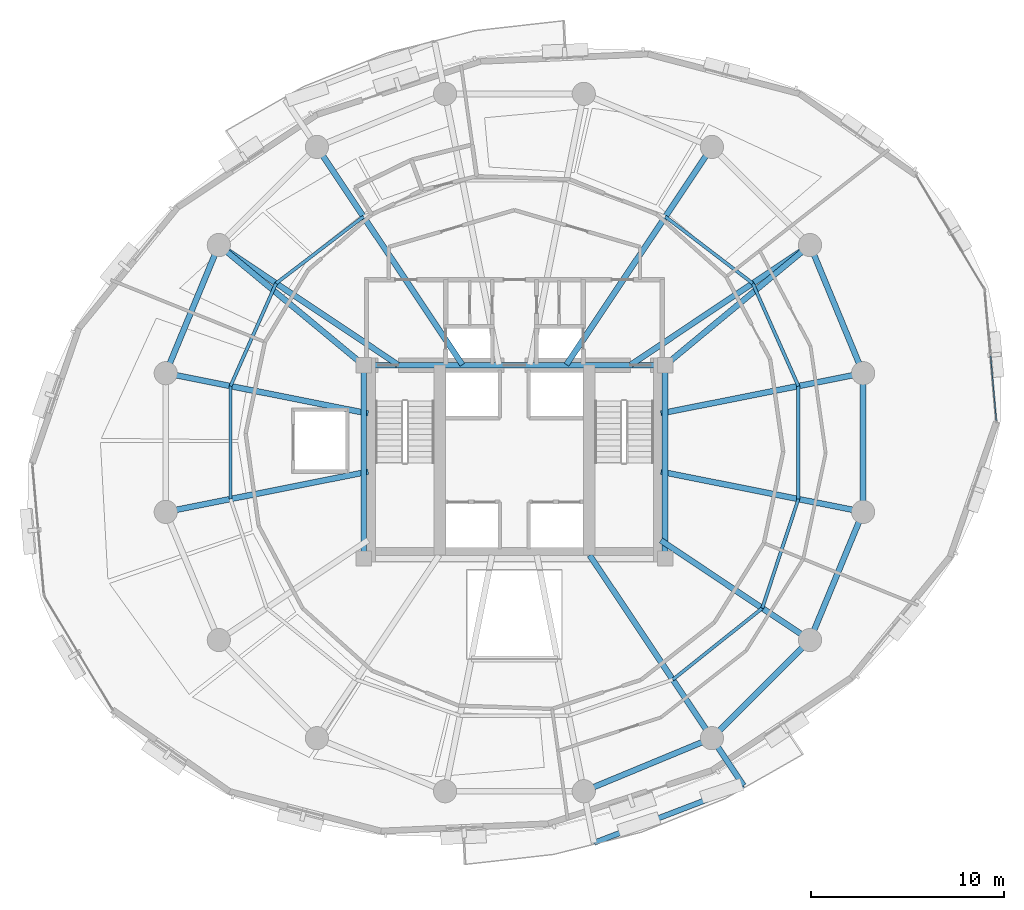
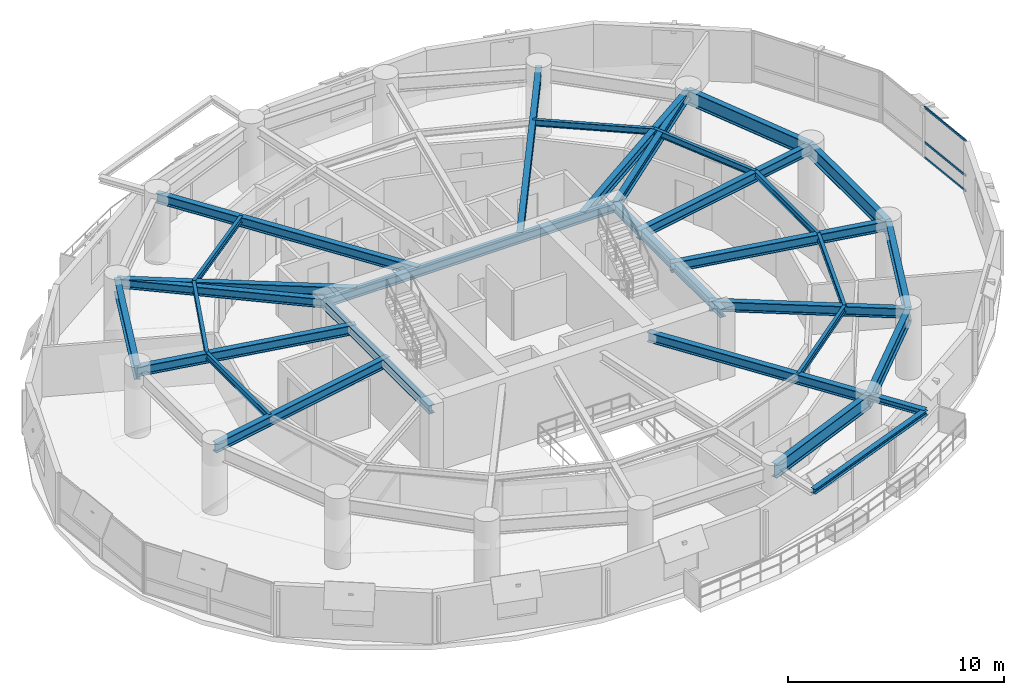
# One storey, part 5 of 15: 31 beams, 3 members, 1 element without a shape of its own.
"""IFC4 building model written with IfcOpenShell, lengths in metres."""

from ifc_helpers import new_model, si_unit, direction, frame, origin, origin_2d, place, context, subcontext, project, spatial, hollow_rectangle, i_section, extrude, material, layer, layer_set, material_profile, profile_set, type_object, element, aggregate, save


model = new_model("IFC4")

# Units and contexts
model_context = context("Model", 3, precision=1e-05, world=origin(), true_north=direction((0.0, 1.0)))
body_context = subcontext(model_context, "Body", "Model", "MODEL_VIEW")
ifc_project = project(units=[si_unit("LENGTHUNIT", "METRE"), si_unit("AREAUNIT", "SQUARE_METRE"), si_unit("VOLUMEUNIT", "CUBIC_METRE"), si_unit("PLANEANGLEUNIT", "RADIAN"), si_unit("MASSUNIT", "GRAM", prefix="KILO"), si_unit("THERMODYNAMICTEMPERATUREUNIT", "KELVIN"), si_unit("POWERUNIT", "WATT")], contexts=[model_context])

# Site, building, storey
site_placement = place(None, origin())
site = spatial("IfcSite", under=ifc_project, at=site_placement, CompositionType="ELEMENT")
building_placement = place(site_placement, origin())
building = spatial("IfcBuilding", under=site, at=building_placement, Name="Ocrelia Relay Tower", CompositionType="ELEMENT")
storey_placement = place(building_placement, frame((0.0, 0.0, 109.800048828125)))
storey = spatial("IfcBuildingStorey", under=building, at=storey_placement, Name="L25", CompositionType="ELEMENT", Elevation=109.800048828125)

# Beams
ifc_material_1 = material(Name="Steel S355", Category="steel")
ifc_material_profile_1 = material_profile(ifc_material_1, i_section(OverallWidth=0.280029296875, OverallDepth=0.27001953125, WebThickness=0.008056640625, FlangeThickness=0.012939453125, FilletRadius=0.02392578125, at=origin_2d()), Name="HEA 280")
ifc_profile_set_1 = profile_set([ifc_material_profile_1], Name="Steel S355")
beam_type_1 = type_object("IfcBeamType", Name="BM-HEA280", PredefinedType="BEAM", material=ifc_profile_set_1)
beam_1_placement = place(storey_placement, frame((38.121337890625, 5.281005859375, 3.5849609375), z_axis=(0.933909895716, 0.357508470785, 0.0), x_axis=(-0.357508470785, 0.933909895716, 0.0)))
element("IfcBeam", 1, at=beam_1_placement, inside=storey, type_object=beam_type_1, Name="L26 Balcony Edge Trimmer Beam B2", PredefinedType="BEAM", context=body_context, shape_type="SweptSolid", body=[
    extrude(i_section(OverallWidth=0.280029296875, OverallDepth=0.27001953125, WebThickness=0.008056640625, FlangeThickness=0.012939453125, FilletRadius=0.02392578125, at=origin_2d()), origin(), (0.0, 0.0, 1.0), 8.290283203125),
])
ifc_material_profile_2 = material_profile(ifc_material_1, i_section(OverallWidth=0.300048828125, OverallDepth=0.330078125, WebThickness=0.009521484375, FlangeThickness=0.0166015625, FilletRadius=0.027099609375, at=origin_2d()), Name="HEA 340")
ifc_profile_set_2 = profile_set([ifc_material_profile_2], Name="Steel S355")
beam_type_2 = type_object("IfcBeamType", Name="BM-HEA340", PredefinedType="BEAM", material=ifc_profile_set_2)
beam_2_placement = place(storey_placement, frame((44.222412109375, 10.700927734375, 3.554931640625), z_axis=(0.555634390845, -0.831426739834, 0.0), x_axis=(0.831426739834, 0.555634390845, 0.0)))
element("IfcBeam", 2, at=beam_2_placement, inside=storey, type_object=beam_type_2, Name="L26 Balcony Cantilever Beam B2-2", PredefinedType="BEAM", context=body_context, shape_type="SweptSolid", body=[
    extrude(i_section(OverallWidth=0.300048828125, OverallDepth=0.330078125, WebThickness=0.009521484375, FlangeThickness=0.0166015625, FilletRadius=0.027099609375, at=origin_2d()), origin(), (0.0, 0.0, 1.0), 2.9541015625),
])
ifc_material_profile_3 = material_profile(ifc_material_1, i_section(OverallWidth=0.300048828125, OverallDepth=0.5, WebThickness=0.014404296875, FlangeThickness=0.028076171875, FilletRadius=0.027099609375, at=origin_2d()), Name="HEB 500")
ifc_profile_set_3 = profile_set([ifc_material_profile_3], Name="Steel S355")
beam_type_3 = type_object("IfcBeamType", Name="BM-HEB500", PredefinedType="BEAM", material=ifc_profile_set_3)
beam_3_placement = place(storey_placement, frame((26.199951171875, 30.0, 3.469970703125), z_axis=(1.0, 0.0, 0.0), x_axis=(0.0, 1.0, 0.0)))
element("IfcBeam", 3, at=beam_3_placement, inside=storey, type_object=beam_type_3, Name="L25 Core Pilaster Tie Beam N", PredefinedType="BEAM", context=body_context, shape_type="SweptSolid", body=[
    extrude(i_section(OverallWidth=0.300048828125, OverallDepth=0.5, WebThickness=0.014404296875, FlangeThickness=0.028076171875, FilletRadius=0.027099609375, at=origin_2d()), origin(), (0.0, 0.0, 1.0), 15.60009765625),
])
for number, where, z_axis, x_axis, name in (
    (4, (26.199951171875, 20.0, 3.469970703125), (0.0, 1.0, 0.0), (-1.0, 0.0, 0.0), "L25 Core Pilaster Tie Beam W"),
    (5, (41.800048828125, 20.0, 3.469970703125), (0.0, 1.0, 0.0), (-1.0, 0.0, 0.0), "L25 Core Pilaster Tie Beam E"),
):
    element("IfcBeam", number, at=place(storey_placement, frame(where, z_axis=z_axis, x_axis=x_axis)), inside=storey, type_object=beam_type_3, Name=name, PredefinedType="BEAM", context=body_context, shape_type="SweptSolid", body=[
        extrude(i_section(OverallWidth=0.300048828125, OverallDepth=0.5, WebThickness=0.014404296875, FlangeThickness=0.028076171875, FilletRadius=0.027099609375, at=origin_2d()), origin(), (0.0, 0.0, 1.0), 10.0),
    ])
for number, where, z_axis, x_axis, name in (
    (6, (49.299072265625, 36.222412109375, 3.469970703125), (-0.769570862751, -0.638561420072, 0.0), (0.638561420072, -0.769570862751, 0.0), "L25 Core Pilaster Frame Tie Beam PT02"),
    (7, (18.700927734375, 36.222412109375, 3.469970703125), (0.769570862751, -0.638561420072, 0.0), (0.638561420072, 0.769570862751, 0.0), "L25 Core Pilaster Frame Tie Beam PT07"),
):
    element("IfcBeam", number, at=place(storey_placement, frame(where, z_axis=z_axis, x_axis=x_axis)), inside=storey, type_object=beam_type_3, Name=name, PredefinedType="BEAM", context=body_context, shape_type="SweptSolid", body=[
        extrude(i_section(OverallWidth=0.300048828125, OverallDepth=0.5, WebThickness=0.014404296875, FlangeThickness=0.028076171875, FilletRadius=0.027099609375, at=origin_2d()), origin(), (0.0, 0.0, 1.0), 9.744384765625),
    ])
ifc_material_profile_4 = material_profile(ifc_material_1, i_section(OverallWidth=0.300048828125, OverallDepth=0.550048828125, WebThickness=0.014892578125, FlangeThickness=0.029052734375, FilletRadius=0.027099609375, at=origin_2d()), Name="HEB 550")
ifc_profile_set_4 = profile_set([ifc_material_profile_4], Name="Steel S355")
beam_type_4 = type_object("IfcBeamType", Name="BM-HEB550", PredefinedType="BEAM", material=ifc_profile_set_4)
beam_4_placement = place(storey_placement, frame((52.04638671875, 29.589599609375, 3.445068359375), z_axis=(-0.980786914024, -0.195082109071, 0.0), x_axis=(0.195082109071, -0.980786914024, 0.0)))
element("IfcBeam", 8, at=beam_4_placement, inside=storey, type_object=beam_type_4, Name="L25 Radial Floor Girder R01", PredefinedType="BEAM", context=body_context, shape_type="SweptSolid", body=[
    extrude(i_section(OverallWidth=0.300048828125, OverallDepth=0.550048828125, WebThickness=0.014892578125, FlangeThickness=0.029052734375, FilletRadius=0.027099609375, at=origin_2d()), origin(), (0.0, 0.0, 1.0), 10.67138671875),
])
beam_5_placement = place(storey_placement, frame((49.299072265625, 36.222412109375, 3.445068359375), z_axis=(-0.83147699108, -0.555559189741, 0.0), x_axis=(0.555559189741, -0.83147699108, 0.0)))
element("IfcBeam", 9, at=beam_5_placement, inside=storey, type_object=beam_type_4, Name="L25 Radial Floor Girder R02", PredefinedType="BEAM", context=body_context, shape_type="SweptSolid", body=[
    extrude(i_section(OverallWidth=0.300048828125, OverallDepth=0.550048828125, WebThickness=0.014892578125, FlangeThickness=0.029052734375, FilletRadius=0.027099609375, at=origin_2d()), origin(), (0.0, 0.0, 1.0), 11.146240234375),
])
for number, where, z_axis, x_axis, name in (
    (10, (44.222412109375, 41.299072265625, 3.445068359375), (-0.555560399988, -0.83147618244, 0.0), (0.83147618244, -0.555560399988, 0.0), "L25 Radial Floor Girder R03"),
    (11, (23.777587890625, 41.299072265625, 3.445068359375), (0.555560399988, -0.83147618244, 0.0), (0.83147618244, 0.555560399988, 0.0), "L25 Radial Floor Girder R06"),
):
    element("IfcBeam", number, at=place(storey_placement, frame(where, z_axis=z_axis, x_axis=x_axis)), inside=storey, type_object=beam_type_4, Name=name, PredefinedType="BEAM", context=body_context, shape_type="SweptSolid", body=[
        extrude(i_section(OverallWidth=0.300048828125, OverallDepth=0.550048828125, WebThickness=0.014892578125, FlangeThickness=0.029052734375, FilletRadius=0.027099609375, at=origin_2d()), origin(), (0.0, 0.0, 1.0), 13.552978515625),
    ])
beam_6_placement = place(storey_placement, frame((18.700927734375, 36.222412109375, 3.445068359375), z_axis=(0.83147699108, -0.555559189741, 0.0), x_axis=(0.555559189741, 0.83147699108, 0.0)))
element("IfcBeam", 12, at=beam_6_placement, inside=storey, type_object=beam_type_4, Name="L25 Radial Floor Girder R07", PredefinedType="BEAM", context=body_context, shape_type="SweptSolid", body=[
    extrude(i_section(OverallWidth=0.300048828125, OverallDepth=0.550048828125, WebThickness=0.014892578125, FlangeThickness=0.029052734375, FilletRadius=0.027099609375, at=origin_2d()), origin(), (0.0, 0.0, 1.0), 11.146240234375),
])
for number, where, z_axis, x_axis, name in (
    (13, (15.95361328125, 29.589599609375, 3.445068359375), (0.980787592082, -0.195078700063, 0.0), (0.195078700063, 0.980787592082, 0.0), "L25 Radial Floor Girder R08"),
    (14, (15.95361328125, 22.410400390625, 3.445068359375), (0.980787592082, 0.195078700063, 0.0), (-0.195078700063, 0.980787592082, 0.0), "L25 Radial Floor Girder R09"),
):
    element("IfcBeam", number, at=place(storey_placement, frame(where, z_axis=z_axis, x_axis=x_axis)), inside=storey, type_object=beam_type_4, Name=name, PredefinedType="BEAM", context=body_context, shape_type="SweptSolid", body=[
        extrude(i_section(OverallWidth=0.300048828125, OverallDepth=0.550048828125, WebThickness=0.014892578125, FlangeThickness=0.029052734375, FilletRadius=0.027099609375, at=origin_2d()), origin(), (0.0, 0.0, 1.0), 10.681640625),
    ])
beam_7_placement = place(storey_placement, frame((44.222412109375, 10.700927734375, 3.445068359375), z_axis=(-0.555565661158, 0.831472667105, 0.0), x_axis=(-0.831472667105, -0.555565661158, 0.0)))
element("IfcBeam", 15, at=beam_7_placement, inside=storey, type_object=beam_type_4, Name="L25 Radial Floor Girder R14", PredefinedType="BEAM", context=body_context, shape_type="SweptSolid", body=[
    extrude(i_section(OverallWidth=0.300048828125, OverallDepth=0.550048828125, WebThickness=0.014892578125, FlangeThickness=0.029052734375, FilletRadius=0.027099609375, at=origin_2d()), origin(), (0.0, 0.0, 1.0), 11.38818359375),
])
beam_8_placement = place(storey_placement, frame((49.299072265625, 15.777587890625, 3.445068359375), z_axis=(-0.8314672312, 0.555573796575, 0.0), x_axis=(-0.555573796575, -0.8314672312, 0.0)))
element("IfcBeam", 16, at=beam_8_placement, inside=storey, type_object=beam_type_4, Name="L25 Radial Floor Girder R15", PredefinedType="BEAM", context=body_context, shape_type="SweptSolid", body=[
    extrude(i_section(OverallWidth=0.300048828125, OverallDepth=0.550048828125, WebThickness=0.014892578125, FlangeThickness=0.029052734375, FilletRadius=0.027099609375, at=origin_2d()), origin(), (0.0, 0.0, 1.0), 9.28369140625),
])
beam_9_placement = place(storey_placement, frame((52.04638671875, 22.410400390625, 3.445068359375), z_axis=(-0.980786914024, 0.195082109071, 0.0), x_axis=(-0.195082109071, -0.980786914024, 0.0)))
element("IfcBeam", 17, at=beam_9_placement, inside=storey, type_object=beam_type_4, Name="L25 Radial Floor Girder R16", PredefinedType="BEAM", context=body_context, shape_type="SweptSolid", body=[
    extrude(i_section(OverallWidth=0.300048828125, OverallDepth=0.550048828125, WebThickness=0.014892578125, FlangeThickness=0.029052734375, FilletRadius=0.027099609375, at=origin_2d()), origin(), (0.0, 0.0, 1.0), 10.67138671875),
])
ifc_material_profile_5 = material_profile(ifc_material_1, i_section(OverallWidth=0.300048828125, OverallDepth=0.800048828125, WebThickness=0.017578125, FlangeThickness=0.032958984375, FilletRadius=0.030029296875, at=origin_2d()), Name="HEB 800")
ifc_profile_set_5 = profile_set([ifc_material_profile_5], Name="Steel S355")
beam_type_5 = type_object("IfcBeamType", Name="BM-HEB800", PredefinedType="BEAM", material=ifc_profile_set_5)
for number, where, z_axis, x_axis, name in (
    (18, (52.04638671875, 29.589599609375, 3.320068359375), (-0.382673155247, 0.923883789366, 0.0), (-0.923883789366, -0.382673155247, 0.0), "L25 Perimeter Spandrel Beam S01"),
    (19, (18.700927734375, 36.222412109375, 3.320068359375), (-0.382673155247, -0.923883789366, 0.0), (0.923883789366, -0.382673155247, 0.0), "L25 Perimeter Spandrel Beam S07"),
    (20, (37.589599609375, 7.95361328125, 3.320068359375), (0.923883789366, 0.382673155247, 0.0), (-0.382673155247, 0.923883789366, 0.0), "L25 Perimeter Spandrel Beam S13"),
):
    element("IfcBeam", number, at=place(storey_placement, frame(where, z_axis=z_axis, x_axis=x_axis)), inside=storey, type_object=beam_type_5, Name=name, PredefinedType="BEAM", context=body_context, shape_type="SweptSolid", body=[
        extrude(i_section(OverallWidth=0.300048828125, OverallDepth=0.800048828125, WebThickness=0.017578125, FlangeThickness=0.032958984375, FilletRadius=0.030029296875, at=origin_2d()), origin(), (0.0, 0.0, 1.0), 7.17919921875),
    ])
beam_10_placement = place(storey_placement, frame((44.222412109375, 10.700927734375, 3.320068359375), z_axis=(0.707106781187, 0.707106781187, 0.0), x_axis=(-0.707106781187, 0.707106781187, 0.0)))
element("IfcBeam", 21, at=beam_10_placement, inside=storey, type_object=beam_type_5, Name="L25 Perimeter Spandrel Beam S14", PredefinedType="BEAM", context=body_context, shape_type="SweptSolid", body=[
    extrude(i_section(OverallWidth=0.300048828125, OverallDepth=0.800048828125, WebThickness=0.017578125, FlangeThickness=0.032958984375, FilletRadius=0.030029296875, at=origin_2d()), origin(), (0.0, 0.0, 1.0), 7.179443359375),
])
for number, where, z_axis, x_axis, name in (
    (22, (49.299072265625, 15.777587890625, 3.320068359375), (0.382673155247, 0.923883789366, 0.0), (-0.923883789366, 0.382673155247, 0.0), "L25 Perimeter Spandrel Beam S15"),
    (23, (52.04638671875, 22.410400390625, 3.320068359375), (0.0, 1.0, 0.0), (-1.0, 0.0, 0.0), "L25 Perimeter Spandrel Beam S16"),
):
    element("IfcBeam", number, at=place(storey_placement, frame(where, z_axis=z_axis, x_axis=x_axis)), inside=storey, type_object=beam_type_5, Name=name, PredefinedType="BEAM", context=body_context, shape_type="SweptSolid", body=[
        extrude(i_section(OverallWidth=0.300048828125, OverallDepth=0.800048828125, WebThickness=0.017578125, FlangeThickness=0.032958984375, FilletRadius=0.030029296875, at=origin_2d()), origin(), (0.0, 0.0, 1.0), 7.17919921875),
    ])
ifc_material_profile_6 = material_profile(ifc_material_1, i_section(OverallWidth=0.169921875, OverallDepth=0.360107421875, WebThickness=0.008056640625, FlangeThickness=0.0126953125, FilletRadius=0.01806640625, at=origin_2d()), Name="IPE 360")
ifc_profile_set_6 = profile_set([ifc_material_profile_6], Name="Steel S355")
beam_type_6 = type_object("IfcBeamType", Name="BM-IPE360", PredefinedType="JOIST", material=ifc_profile_set_6)
beam_11_placement = place(storey_placement, frame((48.697265625, 28.923583984375, 3.5400390625), z_axis=(-0.406243565397, 0.913764830563, 0.0), x_axis=(-0.913764830563, -0.406243565397, 0.0)))
element("IfcBeam", 24, at=beam_11_placement, inside=storey, type_object=beam_type_6, Name="L25 Secondary Floor Joist J01", PredefinedType="JOIST", context=body_context, shape_type="SweptSolid", body=[
    extrude(i_section(OverallWidth=0.169921875, OverallDepth=0.360107421875, WebThickness=0.008056640625, FlangeThickness=0.0126953125, FilletRadius=0.01806640625, at=origin_2d()), origin(), (0.0, 0.0, 1.0), 5.819091796875),
])
for number, where, z_axis, x_axis, name in (
    (25, (46.333251953125, 34.240966796875, 3.5400390625), (-0.794762167004, 0.60692099807, 0.0), (-0.60692099807, -0.794762167004, 0.0), "L25 Secondary Floor Joist J02"),
    (26, (26.18701171875, 37.69287109375, 3.5400390625), (-0.794762167004, -0.60692099807, 0.0), (0.60692099807, -0.794762167004, 0.0), "L25 Secondary Floor Joist J06"),
):
    element("IfcBeam", number, at=place(storey_placement, frame(where, z_axis=z_axis, x_axis=x_axis)), inside=storey, type_object=beam_type_6, Name=name, PredefinedType="JOIST", context=body_context, shape_type="SweptSolid", body=[
        extrude(i_section(OverallWidth=0.169921875, OverallDepth=0.360107421875, WebThickness=0.008056640625, FlangeThickness=0.0126953125, FilletRadius=0.01806640625, at=origin_2d()), origin(), (0.0, 0.0, 1.0), 5.6875),
    ])
beam_12_placement = place(storey_placement, frame((21.666748046875, 34.240966796875, 3.5400390625), z_axis=(-0.405741333342, -0.913987948727, 0.0), x_axis=(0.913987948727, -0.405741333342, 0.0)))
element("IfcBeam", 27, at=beam_12_placement, inside=storey, type_object=beam_type_6, Name="L25 Secondary Floor Joist J07", PredefinedType="JOIST", context=body_context, shape_type="SweptSolid", body=[
    extrude(i_section(OverallWidth=0.169921875, OverallDepth=0.360107421875, WebThickness=0.008056640625, FlangeThickness=0.0126953125, FilletRadius=0.01806640625, at=origin_2d()), origin(), (0.0, 0.0, 1.0), 5.818603515625),
])
beam_13_placement = place(storey_placement, frame((19.305908203125, 28.9228515625, 3.5400390625), z_axis=(0.0, -1.0, 0.0), x_axis=(1.0, 0.0, 0.0)))
element("IfcBeam", 28, at=beam_13_placement, inside=storey, type_object=beam_type_6, Name="L25 Secondary Floor Joist J08", PredefinedType="JOIST", context=body_context, shape_type="SweptSolid", body=[
    extrude(i_section(OverallWidth=0.169921875, OverallDepth=0.360107421875, WebThickness=0.008056640625, FlangeThickness=0.0126953125, FilletRadius=0.01806640625, at=origin_2d()), origin(), (0.0, 0.0, 1.0), 5.845703125),
])
beam_14_placement = place(storey_placement, frame((42.197998046875, 13.731201171875, 3.5400390625), z_axis=(0.781519577804, 0.623880717372, 0.0), x_axis=(-0.623880717372, 0.781519577804, 0.0)))
element("IfcBeam", 29, at=beam_14_placement, inside=storey, type_object=beam_type_6, Name="L25 Secondary Floor Joist J14", PredefinedType="JOIST", context=body_context, shape_type="SweptSolid", body=[
    extrude(i_section(OverallWidth=0.169921875, OverallDepth=0.360107421875, WebThickness=0.008056640625, FlangeThickness=0.0126953125, FilletRadius=0.01806640625, at=origin_2d()), origin(), (0.0, 0.0, 1.0), 5.925537109375),
])
beam_15_placement = place(storey_placement, frame((46.828857421875, 17.427978515625, 3.5400390625), z_axis=(0.314047924314, 0.949407131443, 0.0), x_axis=(-0.949407131443, 0.314047924314, 0.0)))
element("IfcBeam", 30, at=beam_15_placement, inside=storey, type_object=beam_type_6, Name="L25 Secondary Floor Joist J15", PredefinedType="JOIST", context=body_context, shape_type="SweptSolid", body=[
    extrude(i_section(OverallWidth=0.169921875, OverallDepth=0.360107421875, WebThickness=0.008056640625, FlangeThickness=0.0126953125, FilletRadius=0.01806640625, at=origin_2d()), origin(), (0.0, 0.0, 1.0), 5.949462890625),
])
beam_16_placement = place(storey_placement, frame((48.697265625, 23.076416015625, 3.5400390625), z_axis=(0.0, 1.0, 0.0), x_axis=(-1.0, 0.0, 0.0)))
element("IfcBeam", 31, at=beam_16_placement, inside=storey, type_object=beam_type_6, Name="L25 Secondary Floor Joist J16", PredefinedType="JOIST", context=body_context, shape_type="SweptSolid", body=[
    extrude(i_section(OverallWidth=0.169921875, OverallDepth=0.360107421875, WebThickness=0.008056640625, FlangeThickness=0.0126953125, FilletRadius=0.01806640625, at=origin_2d()), origin(), (0.0, 0.0, 1.0), 5.84716796875),
])

# Curtain wall, members
ifc_material_2 = material(Name="Aluminium and solar-control low-E glass", Category="aluminium")
ifc_layer = layer(ifc_material_2, 0.179931640625, Name="Aluminium and solar-control low-E glass")
ifc_layer_set = layer_set([ifc_layer], Name="Aluminium and solar-control low-E glass")
curtain_wall_type = type_object("IfcCurtainWallType", Name="CW-SYS-Z2-SWIT", PredefinedType="NOTDEFINED", material=ifc_layer_set)
curtain_wall_placement = place(storey_placement, origin())
curtain_wall = element("IfcCurtainWall", 32, at=curtain_wall_placement, inside=storey, type_object=curtain_wall_type, Name="L25 Elliptical Tower Curtain Wall Bay 18", PredefinedType="NOTDEFINED")
ifc_material_3 = material(Name="Anodised bronze aluminium", Category="aluminium")
ifc_material_profile_7 = material_profile(ifc_material_3, hollow_rectangle(XDim=0.06005859375, YDim=0.1201171875, WallThickness=0.0048828125, at=origin_2d()), Name="CW-TRN-120x60")
ifc_profile_set_7 = profile_set([ifc_material_profile_7], Name="Anodised bronze aluminium")
member_type = type_object("IfcMemberType", Name="CW-SYS-Z2-SWIT-TRN", PredefinedType="USERDEFINED", material=ifc_profile_set_7)
member_1_placement = place(storey_placement, frame((58.943115234375, 27.149658203125, 0.030029296875), z_axis=(-0.088588216486, 0.996068334955, 0.0), x_axis=(-0.996068334955, -0.088588216486, 0.0)))
member_1 = element("IfcMember", 33, at=member_1_placement, type_object=member_type, Name="CW-Z2 transom 1.1", ObjectType="TRANSOM", PredefinedType="USERDEFINED", context=body_context, shape_type="SweptSolid", body=[
    extrude(hollow_rectangle(XDim=0.06005859375, YDim=0.1201171875, WallThickness=0.0048828125, at=origin_2d()), origin(), (0.0, 0.0, 1.0), 3.334716796875),
])
member_2_placement = place(storey_placement, frame((58.943115234375, 27.149658203125, 0.89990234375), z_axis=(-0.088588216486, 0.996068334955, 0.0), x_axis=(-0.996068334955, -0.088588216486, 0.0)))
member_2 = element("IfcMember", 34, at=member_2_placement, type_object=member_type, Name="CW-Z2 transom 1.2", ObjectType="TRANSOM", PredefinedType="USERDEFINED", context=body_context, shape_type="SweptSolid", body=[
    extrude(hollow_rectangle(XDim=0.06005859375, YDim=0.1201171875, WallThickness=0.0048828125, at=origin_2d()), origin(), (0.0, 0.0, 1.0), 3.334716796875),
])
member_3_placement = place(storey_placement, frame((58.943115234375, 27.149658203125, 2.869873046875), z_axis=(-0.088588216486, 0.996068334955, 0.0), x_axis=(-0.996068334955, -0.088588216486, 0.0)))
member_3 = element("IfcMember", 35, at=member_3_placement, type_object=member_type, Name="CW-Z2 transom 1.3", ObjectType="TRANSOM", PredefinedType="USERDEFINED", context=body_context, shape_type="SweptSolid", body=[
    extrude(hollow_rectangle(XDim=0.06005859375, YDim=0.1201171875, WallThickness=0.0048828125, at=origin_2d()), origin(), (0.0, 0.0, 1.0), 3.334716796875),
])
aggregate(curtain_wall, [member_1, member_2, member_3])

save(model, "model.ifc")
